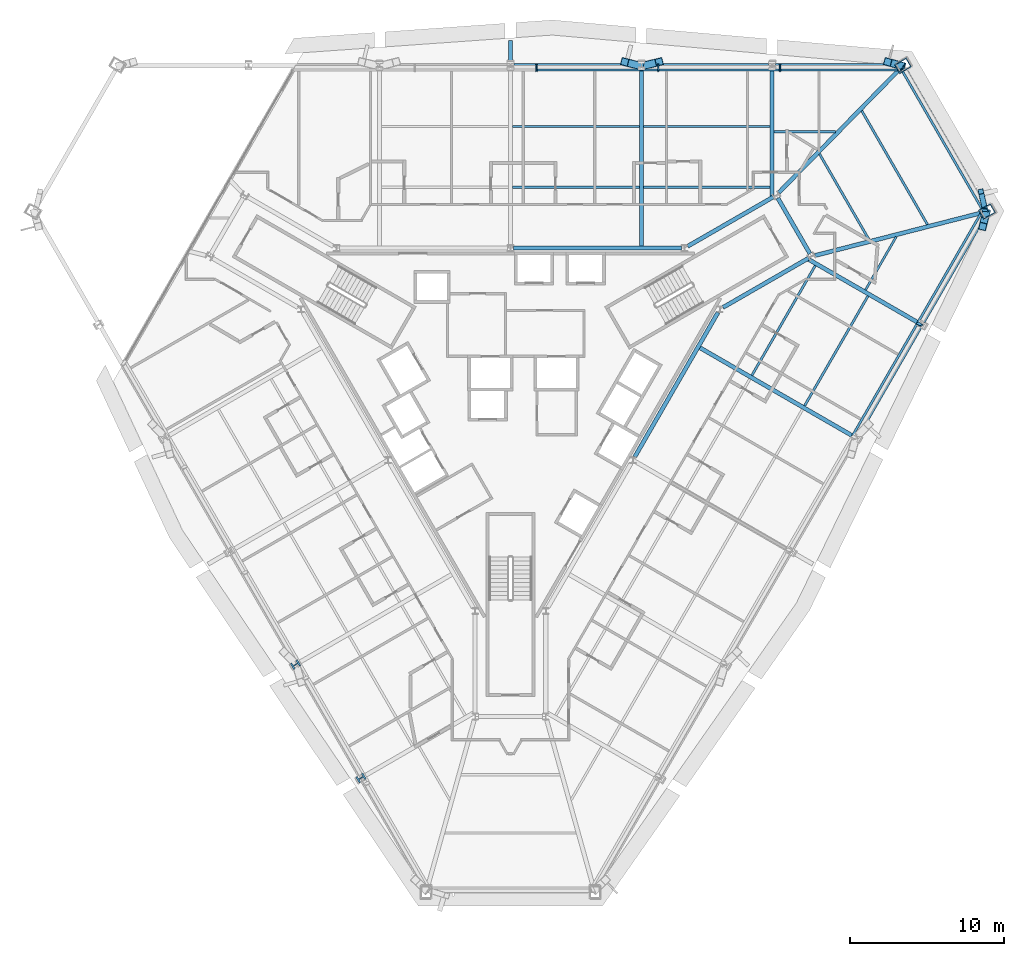
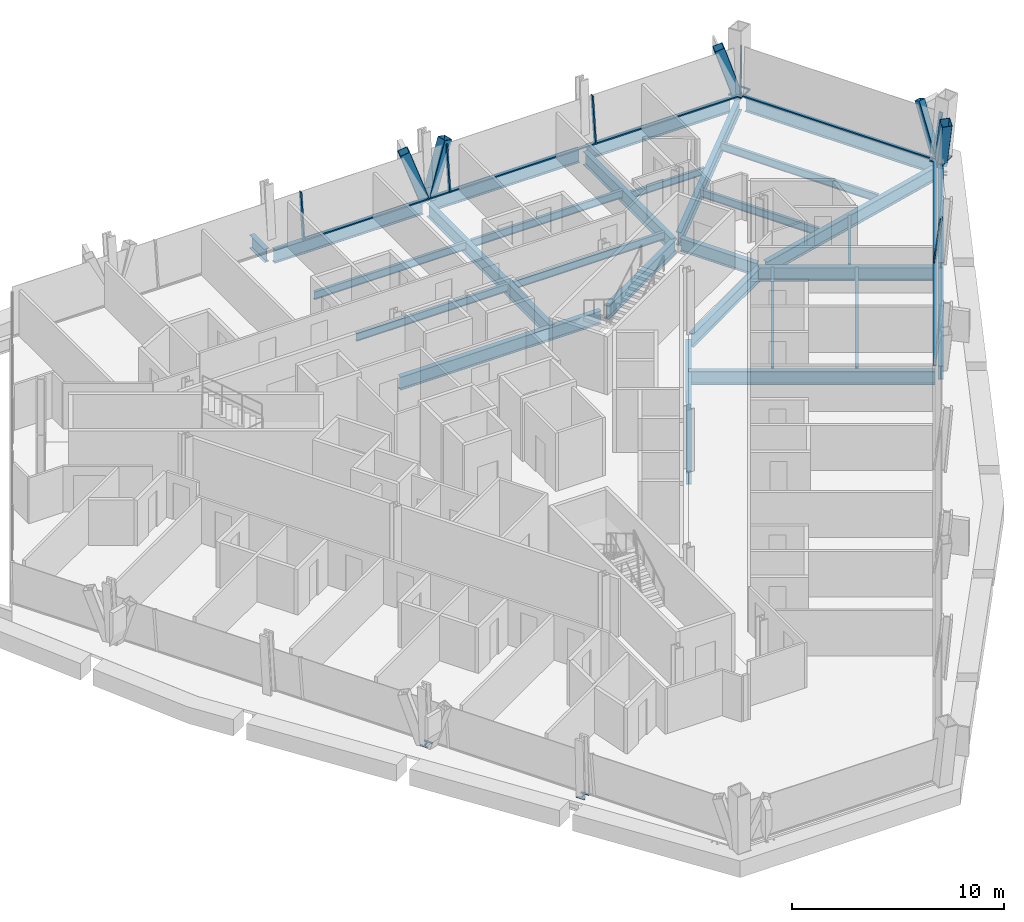
# One storey, part 8 of 17: 28 beams, 21 members, 3 elements without a shape of their own.
"""IFC4 building model written with IfcOpenShell, lengths in metres."""

from ifc_helpers import new_model, si_unit, direction, frame, origin, origin_2d, place, context, subcontext, project, spatial, rectangle, hollow_rectangle, i_section, extrude, material, material_profile, profile_set, type_object, element, aggregate, save


model = new_model("IFC4")

# Units and contexts
model_context = context("Model", 3, precision=1e-05, world=origin(), true_north=direction((0.0, 1.0)))
body_context = subcontext(model_context, "Body", "Model", "MODEL_VIEW")
ifc_project = project(units=[si_unit("LENGTHUNIT", "METRE"), si_unit("AREAUNIT", "SQUARE_METRE"), si_unit("VOLUMEUNIT", "CUBIC_METRE"), si_unit("PLANEANGLEUNIT", "RADIAN"), si_unit("MASSUNIT", "GRAM", prefix="KILO")], contexts=[model_context])

# Site, building, storey
site_placement = place(None, origin())
site = spatial("IfcSite", under=ifc_project, at=site_placement, CompositionType="ELEMENT")
building_placement = place(site_placement, origin())
building = spatial("IfcBuilding", under=site, at=building_placement, Name="Verrane Prism Tower", CompositionType="ELEMENT")
storey_placement = place(building_placement, frame((0.0, 0.0, 62.0)))
storey = spatial("IfcBuildingStorey", under=building, at=storey_placement, Name="L13", CompositionType="ELEMENT", Elevation=62.0)

# Member
ifc_material_1 = material(Name="Steel A500 Grade C", Category="steel")
ifc_material_profile_1 = material_profile(ifc_material_1, hollow_rectangle(XDim=0.355712890625, YDim=0.355712890625, WallThickness=0.0126953125, InnerFilletRadius=0.00634765625, OuterFilletRadius=0.01904296875, at=origin_2d()), Name="HSS14x14x1/2")
ifc_profile_set_1 = profile_set([ifc_material_profile_1], Name="Steel A500 Grade C")
member_type_1 = type_object("IfcMemberType", Name="Chamfer brace HSS14x14x1/2", PredefinedType="BRACE", material=ifc_profile_set_1)
member_1_placement = place(storey_placement, frame((30.859619140625, 11.86767578125, 0.2587890625), z_axis=(-0.087530329187, 0.375181493385, 0.922809454055), x_axis=(-0.973848112977, -0.22720002828, 0.0)))
element("IfcMember", 1, at=member_1_placement, inside=storey, type_object=member_type_1, Name="Chamfer brace NE0 L13", PredefinedType="BRACE", context=body_context, shape_type="SweptSolid", body=[
    extrude(hollow_rectangle(XDim=0.355712890625, YDim=0.355712890625, WallThickness=0.0126953125, InnerFilletRadius=0.00634765625, OuterFilletRadius=0.01904296875, at=origin_2d()), origin(), (0.0, 0.0, 1.0), 2.708251953125),
])

# Beams
ifc_material_2 = material(Name="Steel A992", Category="steel")
ifc_material_profile_2 = material_profile(ifc_material_2, i_section(OverallWidth=0.2666015625, OverallDepth=0.76708984375, WebThickness=0.014892578125, FlangeThickness=0.023681640625, FilletRadius=0.0166015625, at=origin_2d()), Name="W30x124")
ifc_profile_set_2 = profile_set([ifc_material_profile_2], Name="Steel A992")
beam_type_1 = type_object("IfcBeamType", Name="Chamfer spandrel beam W30x124", PredefinedType="SPANDREL", material=ifc_profile_set_2)
beam_1_placement = place(storey_placement, frame((30.84521484375, 11.893310546875, -0.54345703125), z_axis=(-0.499796720239, 0.866142735603, 0.0), x_axis=(-0.866142735603, -0.499796720239, 0.0)))
element("IfcBeam", 2, at=beam_1_placement, inside=storey, type_object=beam_type_1, Name="Chamfer spandrel beam L13", PredefinedType="SPANDREL", context=body_context, shape_type="SweptSolid", body=[
    extrude(i_section(OverallWidth=0.2666015625, OverallDepth=0.76708984375, WebThickness=0.014892578125, FlangeThickness=0.023681640625, FilletRadius=0.0166015625, at=origin_2d()), origin(), (0.0, 0.0, 1.0), 10.244873046875),
])
ifc_material_3 = material(Name="Steel A992", Category="steel")
ifc_material_profile_3 = material_profile(ifc_material_3, i_section(OverallWidth=0.2666015625, OverallDepth=0.7568359375, WebThickness=0.013916015625, FlangeThickness=0.019287109375, FilletRadius=0.0166015625, at=origin_2d()), Name="W30x108")
ifc_profile_set_3 = profile_set([ifc_material_profile_3], Name="Steel A992")
beam_type_2 = type_object("IfcBeamType", Name="Core ring girder W30x108", PredefinedType="BEAM", material=ifc_profile_set_3)
beam_2_placement = place(storey_placement, frame((13.833251953125, 5.337158203125, -0.62841796875), z_axis=(0.86646365882, 0.499240150574, 0.0), x_axis=(-0.499240150574, 0.86646365882, 0.0)))
element("IfcBeam", 3, at=beam_2_placement, inside=storey, type_object=beam_type_2, Name="Core ring girder L13", PredefinedType="BEAM", context=body_context, shape_type="SweptSolid", body=[
    extrude(i_section(OverallWidth=0.2666015625, OverallDepth=0.7568359375, WebThickness=0.013916015625, FlangeThickness=0.019287109375, FilletRadius=0.0166015625, at=origin_2d()), origin(), (0.0, 0.0, 1.0), 6.42822265625),
])
beam_3_placement = place(storey_placement, frame((19.4951171875, 8.84130859375, -0.62841796875), z_axis=(-0.500349643494, 0.865823442888, 0.0), x_axis=(-0.865823442888, -0.500349643494, 0.0)))
element("IfcBeam", 4, at=beam_3_placement, inside=storey, type_object=beam_type_2, Name="Core ring girder L13", PredefinedType="BEAM", context=body_context, shape_type="SweptSolid", body=[
    extrude(i_section(OverallWidth=0.2666015625, OverallDepth=0.7568359375, WebThickness=0.013916015625, FlangeThickness=0.019287109375, FilletRadius=0.0166015625, at=origin_2d()), origin(), (0.0, 0.0, 1.0), 4.177734375),
])
beam_4_placement = place(storey_placement, frame((17.10302734375, 12.526611328125, -0.62841796875), z_axis=(-0.866447229751, -0.499268663203, 0.0), x_axis=(0.499268663203, -0.866447229751, 0.0)))
element("IfcBeam", 5, at=beam_4_placement, inside=storey, type_object=beam_type_2, Name="Core ring girder L13", PredefinedType="BEAM", context=body_context, shape_type="SweptSolid", body=[
    extrude(i_section(OverallWidth=0.2666015625, OverallDepth=0.7568359375, WebThickness=0.013916015625, FlangeThickness=0.019287109375, FilletRadius=0.0166015625, at=origin_2d()), origin(), (0.0, 0.0, 1.0), 6.428466796875),
])
beam_5_placement = place(storey_placement, frame((11.126708984375, 9.199951171875, -0.62841796875), z_axis=(-1.0, 0.0, 0.0), x_axis=(0.0, -1.0, 0.0)))
element("IfcBeam", 6, at=beam_5_placement, inside=storey, type_object=beam_type_2, Name="Core ring girder L13", PredefinedType="BEAM", context=body_context, shape_type="SweptSolid", body=[
    extrude(i_section(OverallWidth=0.2666015625, OverallDepth=0.7568359375, WebThickness=0.013916015625, FlangeThickness=0.019287109375, FilletRadius=0.0166015625, at=origin_2d()), origin(), (0.0, 0.0, 1.0), 10.923583984375),
])
beam_6_placement = place(storey_placement, frame((8.090087890625, -4.3916015625, -0.62841796875), z_axis=(0.499371892062, 0.866387738498, 0.0), x_axis=(-0.866387738498, 0.499371892062, 0.0)))
element("IfcBeam", 7, at=beam_6_placement, inside=storey, type_object=beam_type_2, Name="Core ring girder L13", PredefinedType="BEAM", context=body_context, shape_type="SweptSolid", body=[
    extrude(i_section(OverallWidth=0.2666015625, OverallDepth=0.7568359375, WebThickness=0.013916015625, FlangeThickness=0.019287109375, FilletRadius=0.0166015625, at=origin_2d()), origin(), (0.0, 0.0, 1.0), 10.853515625),
])
ifc_material_4 = material(Name="Steel A992", Category="steel")
ifc_material_profile_4 = material_profile(ifc_material_4, i_section(OverallWidth=0.2666015625, OverallDepth=0.76708984375, WebThickness=0.014892578125, FlangeThickness=0.023681640625, FilletRadius=0.0166015625, at=origin_2d()), Name="W30x124")
ifc_profile_set_4 = profile_set([ifc_material_profile_4], Name="Steel A992")
beam_type_3 = type_object("IfcBeamType", Name="Corner girder W30x124", PredefinedType="BEAM", material=ifc_profile_set_4)
beam_7_placement = place(storey_placement, frame((30.5673828125, 11.473876953125, -0.603515625), z_axis=(-0.968629214838, -0.248510450813, 0.0), x_axis=(0.248510450813, -0.968629214838, 0.0)))
element("IfcBeam", 8, at=beam_7_placement, inside=storey, type_object=beam_type_3, Name="Corner girder L13", PredefinedType="BEAM", context=body_context, shape_type="SweptSolid", body=[
    extrude(i_section(OverallWidth=0.2666015625, OverallDepth=0.76708984375, WebThickness=0.014892578125, FlangeThickness=0.023681640625, FilletRadius=0.0166015625, at=origin_2d()), origin(), (0.0, 0.0, 1.0), 11.086669921875),
])
beam_8_placement = place(storey_placement, frame((25.548828125, 21.06884765625, -0.603515625), z_axis=(-0.699429302474, -0.714701791547, 0.0), x_axis=(0.714701791547, -0.699429302474, 0.0)))
element("IfcBeam", 9, at=beam_8_placement, inside=storey, type_object=beam_type_3, Name="Corner girder L13", PredefinedType="BEAM", context=body_context, shape_type="SweptSolid", body=[
    extrude(i_section(OverallWidth=0.2666015625, OverallDepth=0.76708984375, WebThickness=0.014892578125, FlangeThickness=0.023681640625, FilletRadius=0.0166015625, at=origin_2d()), origin(), (0.0, 0.0, 1.0), 11.5576171875),
])

# Members
ifc_material_5 = material(Name="Steel A1085 Grade A", Category="steel")
ifc_material_profile_5 = material_profile(ifc_material_5, hollow_rectangle(XDim=0.508056640625, YDim=0.508056640625, WallThickness=0.025390625, InnerFilletRadius=0.0126953125, OuterFilletRadius=0.0380859375, at=origin_2d()), Name="HSS20x20x1")
ifc_profile_set_5 = profile_set([ifc_material_profile_5], Name="Steel A1085 Grade A")
member_type_2 = type_object("IfcMemberType", Name="Facade brace HSS20x20x1", PredefinedType="BRACE", material=ifc_profile_set_5)
member_2_placement = place(storey_placement, frame((25.447509765625, 21.070068359375, -0.197509765625), z_axis=(-0.28691956296, 0.080224219907, 0.954589565694), x_axis=(-0.269277388617, -0.963062660464, 0.0)))
element("IfcMember", 10, at=member_2_placement, inside=storey, type_object=member_type_2, Name="Facade brace N0 L13", PredefinedType="BRACE", context=body_context, shape_type="SweptSolid", body=[
    extrude(hollow_rectangle(XDim=0.508056640625, YDim=0.508056640625, WallThickness=0.025390625, InnerFilletRadius=0.0126953125, OuterFilletRadius=0.0380859375, at=origin_2d()), origin(), (0.0, 0.0, 1.0), 3.10400390625),
])
member_3_placement = place(storey_placement, frame((8.639892578125, 21.070068359375, -0.197509765625), z_axis=(0.330631716737, 0.079035470136, 0.940444608867), x_axis=(-0.232493532047, 0.972597942398, 0.0)))
element("IfcMember", 11, at=member_3_placement, inside=storey, type_object=member_type_2, Name="Facade brace N1 L13", PredefinedType="BRACE", context=body_context, shape_type="SweptSolid", body=[
    extrude(hollow_rectangle(XDim=0.508056640625, YDim=0.508056640625, WallThickness=0.025390625, InnerFilletRadius=0.0126953125, OuterFilletRadius=0.0380859375, at=origin_2d()), origin(), (0.0, 0.0, 1.0), 3.15087890625),
])
member_4_placement = place(storey_placement, frame((8.408203125, 21.070068359375, -0.197509765625), z_axis=(-0.310890224277, 0.079595388746, 0.947107091378), x_axis=(-0.248024317943, -0.968753806552, 0.0)))
element("IfcMember", 12, at=member_4_placement, inside=storey, type_object=member_type_2, Name="Facade brace N2 L13", PredefinedType="BRACE", context=body_context, shape_type="SweptSolid", body=[
    extrude(hollow_rectangle(XDim=0.508056640625, YDim=0.508056640625, WallThickness=0.025390625, InnerFilletRadius=0.0126953125, OuterFilletRadius=0.0380859375, at=origin_2d()), origin(), (0.0, 0.0, 1.0), 3.128662109375),
])
member_5_placement = place(storey_placement, frame((30.968994140625, 11.501708984375, -0.197509765625), z_axis=(-0.072850818083, -0.288020350974, 0.954849221463), x_axis=(0.96946898724, -0.245213953069, 0.0)))
element("IfcMember", 13, at=member_5_placement, inside=storey, type_object=member_type_2, Name="Facade brace SE5 L13", PredefinedType="BRACE", context=body_context, shape_type="SweptSolid", body=[
    extrude(hollow_rectangle(XDim=0.508056640625, YDim=0.508056640625, WallThickness=0.025390625, InnerFilletRadius=0.0126953125, OuterFilletRadius=0.0380859375, at=origin_2d()), origin(), (0.0, 0.0, 1.0), 3.103271484375),
])

# Beams
ifc_material_6 = material(Name="Steel A992", Category="steel")
ifc_material_profile_6 = material_profile(ifc_material_6, i_section(OverallWidth=0.140380859375, OverallDepth=0.40380859375, WebThickness=0.007080078125, FlangeThickness=0.01123046875, FilletRadius=0.01025390625, at=origin_2d()), Name="W16x31")
ifc_profile_set_6 = profile_set([ifc_material_profile_6], Name="Steel A992")
beam_type_4 = type_object("IfcBeamType", Name="Floor beam W16x31", PredefinedType="BEAM", material=ifc_profile_set_6)
beam_9_placement = place(storey_placement, frame((17.16357421875, 16.77490234375, -0.36181640625), z_axis=(1.0, 0.0, 0.0), x_axis=(0.0, 1.0, 0.0)))
element("IfcBeam", 14, at=beam_9_placement, inside=storey, type_object=beam_type_4, Name="Floor beam L13", PredefinedType="BEAM", context=body_context, shape_type="SweptSolid", body=[
    extrude(i_section(OverallWidth=0.140380859375, OverallDepth=0.40380859375, WebThickness=0.007080078125, FlangeThickness=0.01123046875, FilletRadius=0.01025390625, at=origin_2d()), origin(), (0.0, 0.0, 1.0), 3.996337890625),
])
beam_10_placement = place(storey_placement, frame((23.113525390625, 6.4794921875, -0.36181640625), z_axis=(0.500001357645, 0.866024619946, 0.0), x_axis=(-0.866024619946, 0.500001357645, 0.0)))
element("IfcBeam", 15, at=beam_10_placement, inside=storey, type_object=beam_type_4, Name="Floor beam L13", PredefinedType="BEAM", context=body_context, shape_type="SweptSolid", body=[
    extrude(i_section(OverallWidth=0.140380859375, OverallDepth=0.40380859375, WebThickness=0.007080078125, FlangeThickness=0.01123046875, FilletRadius=0.01025390625, at=origin_2d()), origin(), (0.0, 0.0, 1.0), 3.99072265625),
])
ifc_material_7 = material(Name="Steel A992", Category="steel")
ifc_material_profile_7 = material_profile(ifc_material_7, i_section(OverallWidth=0.15234375, OverallDepth=0.449462890625, WebThickness=0.007568359375, FlangeThickness=0.0107421875, FilletRadius=0.01025390625, at=origin_2d()), Name="W18x35")
ifc_profile_set_7 = profile_set([ifc_material_profile_7], Name="Steel A992")
beam_type_5 = type_object("IfcBeamType", Name="Floor beam W18x35", PredefinedType="BEAM", material=ifc_profile_set_7)
for number, where, z_axis, x_axis, name in (
    (16, (8.653564453125, 13.15673828125, -0.384765625), (1.0, 0.0, 0.0), (0.0, 1.0, 0.0), "Floor beam L13"),
    (17, (8.653564453125, 17.11328125, -0.384765625), (1.0, 0.0, 0.0), (0.0, 1.0, 0.0), "Floor beam L13"),
):
    element("IfcBeam", number, at=place(storey_placement, frame(where, z_axis=z_axis, x_axis=x_axis)), inside=storey, type_object=beam_type_5, Name=name, PredefinedType="BEAM", context=body_context, shape_type="SweptSolid", body=[
        extrude(i_section(OverallWidth=0.15234375, OverallDepth=0.449462890625, WebThickness=0.007568359375, FlangeThickness=0.0107421875, FilletRadius=0.01025390625, at=origin_2d()), origin(), (0.0, 0.0, 1.0), 8.242919921875),
    ])
for number, where, z_axis, x_axis, name in (
    (18, (0.133544921875, 13.15673828125, -0.384765625), (1.0, 0.0, 0.0), (0.0, 1.0, 0.0), "Floor beam L13"),
    (19, (0.133544921875, 17.11328125, -0.384765625), (1.0, 0.0, 0.0), (0.0, 1.0, 0.0), "Floor beam L13"),
):
    element("IfcBeam", number, at=place(storey_placement, frame(where, z_axis=z_axis, x_axis=x_axis)), inside=storey, type_object=beam_type_5, Name=name, PredefinedType="BEAM", context=body_context, shape_type="SweptSolid", body=[
        extrude(i_section(OverallWidth=0.15234375, OverallDepth=0.449462890625, WebThickness=0.007568359375, FlangeThickness=0.0107421875, FilletRadius=0.01025390625, at=origin_2d()), origin(), (0.0, 0.0, 1.0), 8.2529296875),
    ])
beam_11_placement = place(storey_placement, frame((19.146728515625, -1.064453125, -0.384765625), z_axis=(0.499987164874, 0.866032814021, 0.0), x_axis=(-0.866032814021, 0.499987164874, 0.0)))
element("IfcBeam", 20, at=beam_11_placement, inside=storey, type_object=beam_type_5, Name="Floor beam L13", PredefinedType="BEAM", context=body_context, shape_type="SweptSolid", body=[
    extrude(i_section(OverallWidth=0.15234375, OverallDepth=0.449462890625, WebThickness=0.007568359375, FlangeThickness=0.0107421875, FilletRadius=0.01025390625, at=origin_2d()), origin(), (0.0, 0.0, 1.0), 8.249755859375),
])
beam_12_placement = place(storey_placement, frame((15.716796875, 0.91552734375, -0.384765625), z_axis=(0.499996545922, 0.866027397988, 0.0), x_axis=(-0.866027397988, 0.499996545922, 0.0)))
element("IfcBeam", 21, at=beam_12_placement, inside=storey, type_object=beam_type_5, Name="Floor beam L13", PredefinedType="BEAM", context=body_context, shape_type="SweptSolid", body=[
    extrude(i_section(OverallWidth=0.15234375, OverallDepth=0.449462890625, WebThickness=0.007568359375, FlangeThickness=0.0107421875, FilletRadius=0.01025390625, at=origin_2d()), origin(), (0.0, 0.0, 1.0), 8.25),
])
beam_13_placement = place(storey_placement, frame((27.145263671875, 10.733642578125, -0.384765625), z_axis=(-0.499989342298, 0.866031556924, 0.0), x_axis=(-0.866031556924, -0.499989342298, 0.0)))
element("IfcBeam", 22, at=beam_13_placement, inside=storey, type_object=beam_type_5, Name="Floor beam L13", PredefinedType="BEAM", context=body_context, shape_type="SweptSolid", body=[
    extrude(i_section(OverallWidth=0.15234375, OverallDepth=0.449462890625, WebThickness=0.007568359375, FlangeThickness=0.0107421875, FilletRadius=0.01025390625, at=origin_2d()), origin(), (0.0, 0.0, 1.0), 8.552001953125),
])
beam_14_placement = place(storey_placement, frame((23.337158203125, 9.756591796875, -0.384765625), z_axis=(-0.49999063097, 0.866030812929, 0.0), x_axis=(-0.866030812929, -0.49999063097, 0.0)))
element("IfcBeam", 23, at=beam_14_placement, inside=storey, type_object=beam_type_5, Name="Floor beam L13", PredefinedType="BEAM", context=body_context, shape_type="SweptSolid", body=[
    extrude(i_section(OverallWidth=0.15234375, OverallDepth=0.449462890625, WebThickness=0.007568359375, FlangeThickness=0.0107421875, FilletRadius=0.01025390625, at=origin_2d()), origin(), (0.0, 0.0, 1.0), 6.435546875),
])

# Members
ifc_material_8 = material(Name="Steel A572 Grade 50", Category="steel")
ifc_material_profile_8 = material_profile(ifc_material_8, hollow_rectangle(XDim=0.699951171875, YDim=0.89990234375, WallThickness=0.06494140625, at=origin_2d()), Name="BOX 900x700x65")
ifc_profile_set_8 = profile_set([ifc_material_profile_8], Name="Steel A572 Grade 50")
member_type_3 = type_object("IfcMemberType", Name="Kink node BOX 900x700x65", PredefinedType="COLLAR", material=ifc_profile_set_8)
for number, where, z_axis, x_axis, name in (
    (24, (31.02197265625, 11.590087890625, -0.0400390625), (0.0, 0.0, 1.0), (0.5, -0.866025403784, 0.0), "Kink node MC3 L13"),
    (25, (25.551025390625, 21.071533203125, -0.0400390625), (0.0, 0.0, 1.0), (0.5, -0.866025403784, 0.0), "Kink node MC3 L13"),
):
    element("IfcMember", number, at=place(storey_placement, frame(where, z_axis=z_axis, x_axis=x_axis)), inside=storey, type_object=member_type_3, Name=name, PredefinedType="COLLAR", context=body_context, shape_type="SweptSolid", body=[
        extrude(hollow_rectangle(XDim=0.699951171875, YDim=0.89990234375, WallThickness=0.06494140625, at=origin_2d()), origin(), (0.0, 0.0, 1.0), 0.080078125),
    ])
ifc_material_9 = material(Name="Steel A992", Category="steel")
ifc_material_profile_9 = material_profile(ifc_material_9, i_section(OverallWidth=0.44189453125, OverallDepth=0.53076171875, WebThickness=0.06591796875, FlangeThickness=0.105712890625, FilletRadius=0.01513671875, at=origin_2d()), Name="W14x605")
ifc_profile_set_9 = profile_set([ifc_material_profile_9], Name="Steel A992")
member_type_4 = type_object("IfcMemberType", Name="Kink node W14x605", PredefinedType="COLLAR", material=ifc_profile_set_9)
for number, where, z_axis, x_axis, name in (
    (26, (-13.99072265625, -17.91064453125, -0.02490234375), (0.0, 0.0, 1.0), (-0.5, 0.866025403784, 0.0), "Kink node PC2 L13"),
    (27, (-9.730712890625, -25.290771484375, -0.02490234375), (0.0, 0.0, 1.0), (-0.5, 0.866025403784, 0.0), "Kink node PC2 L13"),
):
    element("IfcMember", number, at=place(storey_placement, frame(where, z_axis=z_axis, x_axis=x_axis)), inside=storey, type_object=member_type_4, Name=name, PredefinedType="COLLAR", context=body_context, shape_type="SweptSolid", body=[
        extrude(i_section(OverallWidth=0.44189453125, OverallDepth=0.53076171875, WebThickness=0.06591796875, FlangeThickness=0.105712890625, FilletRadius=0.01513671875, at=origin_2d()), origin(), (0.0, 0.0, 1.0), 0.0498046875),
    ])

# Curtain wall, member
ifc_material_10 = material(Name="Aluminium framed insulated glazing", Category="aluminium")
curtain_wall_type = type_object("IfcCurtainWallType", Name="Curtain wall CW-A 8400 module", PredefinedType="NOTDEFINED", material=ifc_material_10)
curtain_wall_1_placement = place(storey_placement, origin())
curtain_wall_1 = element("IfcCurtainWall", 28, at=curtain_wall_1_placement, inside=storey, type_object=curtain_wall_type, Name="Glazed curtain wall north-east corner L13", PredefinedType="NOTDEFINED")
ifc_material_11 = material(Name="Aluminium alloy 6063-T6", Category="aluminium")
ifc_material_profile_10 = material_profile(ifc_material_11, rectangle(XDim=0.199951171875, YDim=0.070068359375, at=origin_2d()), Name="Mullion 70x200 aluminium")
ifc_profile_set_10 = profile_set([ifc_material_profile_10], Name="Aluminium alloy 6063-T6")
member_type_5 = type_object("IfcMemberType", Name="Mullion 70x200 aluminium", PredefinedType="MULLION", material=ifc_profile_set_10)
member_6_placement = place(storey_placement, frame((30.7255859375, 11.697021484375, 0.0), z_axis=(0.137978086473, -0.011382498079, 0.990369873527), x_axis=(0.422306386926, -0.903806096703, -0.069223226761)))
member_6 = element("IfcMember", 29, at=member_6_placement, type_object=member_type_5, Name="CW12.1 mullion 1", PredefinedType="MULLION", context=body_context, shape_type="SweptSolid", body=[
    extrude(rectangle(XDim=0.199951171875, YDim=0.070068359375, at=origin_2d()), origin(), (0.0, 0.0, 1.0), 2.63818359375),
])

# Curtain wall, members
curtain_wall_2_placement = place(storey_placement, origin())
curtain_wall_2 = element("IfcCurtainWall", 30, at=curtain_wall_2_placement, inside=storey, type_object=curtain_wall_type, Name="Glazed curtain wall north face L13", PredefinedType="NOTDEFINED")
member_7_placement = place(storey_placement, frame((25.440185546875, 20.791015625, 0.0), z_axis=(0.079029178618, 0.113731686793, 0.990363313308), x_axis=(0.565134685884, 0.813291017507, -0.138493709798)))
member_7 = element("IfcMember", 31, at=member_7_placement, type_object=member_type_5, Name="CW12.2 mullion 1", PredefinedType="MULLION", context=body_context, shape_type="SweptSolid", body=[
    extrude(rectangle(XDim=0.199951171875, YDim=0.070068359375, at=origin_2d()), origin(), (0.0, 0.0, 1.0), 2.63818359375),
])
member_8_placement = place(storey_placement, frame((17.547607421875, 20.791015625, 0.0), z_axis=(0.0, 0.114088521093, 0.993470588067), x_axis=(0.0, 0.993470588067, -0.114088521093)))
member_8 = element("IfcMember", 32, at=member_8_placement, type_object=member_type_5, Name="CW12.2 mullion 2", PredefinedType="MULLION", context=body_context, shape_type="SweptSolid", body=[
    extrude(rectangle(XDim=0.199951171875, YDim=0.070068359375, at=origin_2d()), origin(), (0.0, 0.0, 1.0), 2.6298828125),
])
member_9_placement = place(storey_placement, frame((9.6201171875, 20.791015625, 0.0), z_axis=(0.0, 0.114088521093, 0.993470588067), x_axis=(0.0, 0.993470588067, -0.114088521093)))
member_9 = element("IfcMember", 33, at=member_9_placement, type_object=member_type_5, Name="CW12.2 mullion 3", PredefinedType="MULLION", context=body_context, shape_type="SweptSolid", body=[
    extrude(rectangle(XDim=0.199951171875, YDim=0.070068359375, at=origin_2d()), origin(), (0.0, 0.0, 1.0), 2.6298828125),
])
member_10_placement = place(storey_placement, frame((1.692626953125, 20.791015625, 0.0), z_axis=(0.0, 0.114088521093, 0.993470588067), x_axis=(0.0, 0.993470588067, -0.114088521093)))
member_10 = element("IfcMember", 34, at=member_10_placement, type_object=member_type_5, Name="CW12.2 mullion 4", PredefinedType="MULLION", context=body_context, shape_type="SweptSolid", body=[
    extrude(rectangle(XDim=0.199951171875, YDim=0.070068359375, at=origin_2d()), origin(), (0.0, 0.0, 1.0), 2.6298828125),
])

# Curtain wall, member
curtain_wall_3_placement = place(storey_placement, origin())
curtain_wall_3 = element("IfcCurtainWall", 35, at=curtain_wall_3_placement, inside=storey, type_object=curtain_wall_type, Name="Glazed curtain wall south-east face L13", PredefinedType="NOTDEFINED")
member_11_placement = place(storey_placement, frame((26.497314453125, 4.312744140625, 0.0), z_axis=(0.098771561601, -0.057090705249, 0.99347110174), x_axis=(-0.863445118187, -0.501207284397, 0.057041966534)))
member_11 = element("IfcMember", 36, at=member_11_placement, type_object=member_type_5, Name="CW12.6 mullion 6", PredefinedType="MULLION", context=body_context, shape_type="SweptSolid", body=[
    extrude(rectangle(XDim=0.199951171875, YDim=0.070068359375, at=origin_2d()), origin(), (0.0, 0.0, 1.0), 2.6298828125),
])

# Beams
ifc_material_12 = material(Name="Steel A992", Category="steel")
ifc_material_profile_11 = material_profile(ifc_material_12, i_section(OverallWidth=0.2666015625, OverallDepth=0.76708984375, WebThickness=0.014892578125, FlangeThickness=0.023681640625, FilletRadius=0.0166015625, at=origin_2d()), Name="W30x124")
ifc_profile_set_11 = profile_set([ifc_material_profile_11], Name="Steel A992")
beam_type_6 = type_object("IfcBeamType", Name="Radial girder W30x124", PredefinedType="BEAM", material=ifc_profile_set_11)
beam_15_placement = place(storey_placement, frame((17.030029296875, 20.8046875, -0.603515625), z_axis=(0.0, -1.0, 0.0), x_axis=(1.0, 0.0, 0.0)))
element("IfcBeam", 37, at=beam_15_placement, inside=storey, type_object=beam_type_6, Name="Radial girder L13", PredefinedType="BEAM", context=body_context, shape_type="SweptSolid", body=[
    extrude(i_section(OverallWidth=0.2666015625, OverallDepth=0.76708984375, WebThickness=0.014892578125, FlangeThickness=0.023681640625, FilletRadius=0.0166015625, at=origin_2d()), origin(), (0.0, 0.0, 1.0), 8.3203125),
])
beam_16_placement = place(storey_placement, frame((8.52001953125, 20.8046875, -0.603515625), z_axis=(0.0, -1.0, 0.0), x_axis=(1.0, 0.0, 0.0)))
element("IfcBeam", 38, at=beam_16_placement, inside=storey, type_object=beam_type_6, Name="Radial girder L13", PredefinedType="BEAM", context=body_context, shape_type="SweptSolid", body=[
    extrude(i_section(OverallWidth=0.2666015625, OverallDepth=0.76708984375, WebThickness=0.014892578125, FlangeThickness=0.023681640625, FilletRadius=0.0166015625, at=origin_2d()), origin(), (0.0, 0.0, 1.0), 11.604736328125),
])
beam_17_placement = place(storey_placement, frame((22.280029296875, -3.02734375, -0.603515625), z_axis=(-0.866023488761, 0.500003316903, 0.0), x_axis=(-0.500003316903, -0.866023488761, 0.0)))
element("IfcBeam", 39, at=beam_17_placement, inside=storey, type_object=beam_type_6, Name="Radial girder L13", PredefinedType="BEAM", context=body_context, shape_type="SweptSolid", body=[
    extrude(i_section(OverallWidth=0.2666015625, OverallDepth=0.76708984375, WebThickness=0.014892578125, FlangeThickness=0.023681640625, FilletRadius=0.0166015625, at=origin_2d()), origin(), (0.0, 0.0, 1.0), 11.61279296875),
])
beam_18_placement = place(storey_placement, frame((26.530029296875, 4.352783203125, -0.603515625), z_axis=(-0.866021168401, 0.500007335828, 0.0), x_axis=(-0.500007335828, -0.866021168401, 0.0)))
element("IfcBeam", 40, at=beam_18_placement, inside=storey, type_object=beam_type_6, Name="Radial girder L13", PredefinedType="BEAM", context=body_context, shape_type="SweptSolid", body=[
    extrude(i_section(OverallWidth=0.2666015625, OverallDepth=0.76708984375, WebThickness=0.014892578125, FlangeThickness=0.023681640625, FilletRadius=0.0166015625, at=origin_2d()), origin(), (0.0, 0.0, 1.0), 8.30859375),
])
beam_19_placement = place(storey_placement, frame((0.0, 21.331298828125, -0.603515625), z_axis=(0.0, 1.0, 0.0), x_axis=(-1.0, 0.0, 0.0)))
element("IfcBeam", 41, at=beam_19_placement, inside=storey, type_object=beam_type_6, Name="Cantilever girder L13", PredefinedType="BEAM", context=body_context, shape_type="SweptSolid", body=[
    extrude(i_section(OverallWidth=0.2666015625, OverallDepth=0.76708984375, WebThickness=0.014892578125, FlangeThickness=0.023681640625, FilletRadius=0.0166015625, at=origin_2d()), origin(), (0.0, 0.0, 1.0), 1.392578125),
])
ifc_material_13 = material(Name="Steel A992", Category="steel")
ifc_material_profile_12 = material_profile(ifc_material_13, i_section(OverallWidth=0.2666015625, OverallDepth=0.7568359375, WebThickness=0.013916015625, FlangeThickness=0.019287109375, FilletRadius=0.0166015625, at=origin_2d()), Name="W30x108")
ifc_profile_set_12 = profile_set([ifc_material_profile_12], Name="Steel A992")
beam_type_7 = type_object("IfcBeamType", Name="Spandrel beam W30x108", PredefinedType="SPANDREL", material=ifc_profile_set_12)
beam_20_placement = place(storey_placement, frame((25.030517578125, 21.070068359375, -0.53857421875), z_axis=(-1.0, 0.0, 0.0), x_axis=(0.0, -1.0, 0.0)))
element("IfcBeam", 42, at=beam_20_placement, inside=storey, type_object=beam_type_7, Name="Spandrel beam L13", PredefinedType="SPANDREL", context=body_context, shape_type="SweptSolid", body=[
    extrude(i_section(OverallWidth=0.2666015625, OverallDepth=0.7568359375, WebThickness=0.013916015625, FlangeThickness=0.019287109375, FilletRadius=0.0166015625, at=origin_2d()), origin(), (0.0, 0.0, 1.0), 7.779541015625),
])
beam_21_placement = place(storey_placement, frame((16.80908203125, 21.070068359375, -0.53857421875), z_axis=(-1.0, 0.0, 0.0), x_axis=(0.0, -1.0, 0.0)))
element("IfcBeam", 43, at=beam_21_placement, inside=storey, type_object=beam_type_7, Name="Spandrel beam L13", PredefinedType="SPANDREL", context=body_context, shape_type="SweptSolid", body=[
    extrude(i_section(OverallWidth=0.2666015625, OverallDepth=0.7568359375, WebThickness=0.013916015625, FlangeThickness=0.019287109375, FilletRadius=0.0166015625, at=origin_2d()), origin(), (0.0, 0.0, 1.0), 8.068115234375),
])
beam_22_placement = place(storey_placement, frame((8.299072265625, 21.070068359375, -0.53857421875), z_axis=(-1.0, 0.0, 0.0), x_axis=(0.0, -1.0, 0.0)))
element("IfcBeam", 44, at=beam_22_placement, inside=storey, type_object=beam_type_7, Name="Spandrel beam L13", PredefinedType="SPANDREL", context=body_context, shape_type="SweptSolid", body=[
    extrude(i_section(OverallWidth=0.2666015625, OverallDepth=0.7568359375, WebThickness=0.013916015625, FlangeThickness=0.019287109375, FilletRadius=0.0166015625, at=origin_2d()), origin(), (0.0, 0.0, 1.0), 8.078125),
])
beam_23_placement = place(storey_placement, frame((22.620361328125, -2.968505859375, -0.53857421875), z_axis=(0.499027753089, 0.866586003607, 0.0), x_axis=(-0.866586003607, 0.499027753089, 0.0)))
element("IfcBeam", 45, at=beam_23_placement, inside=storey, type_object=beam_type_7, Name="Spandrel beam L13", PredefinedType="SPANDREL", context=body_context, shape_type="SweptSolid", body=[
    extrude(i_section(OverallWidth=0.2666015625, OverallDepth=0.7568359375, WebThickness=0.013916015625, FlangeThickness=0.019287109375, FilletRadius=0.0166015625, at=origin_2d()), origin(), (0.0, 0.0, 1.0), 8.07421875),
])
beam_24_placement = place(storey_placement, frame((26.87060546875, 4.411376953125, -0.53857421875), z_axis=(0.500425695968, 0.865779488562, 0.0), x_axis=(-0.865779488562, 0.500425695968, 0.0)))
element("IfcBeam", 46, at=beam_24_placement, inside=storey, type_object=beam_type_7, Name="Spandrel beam L13", PredefinedType="SPANDREL", context=body_context, shape_type="SweptSolid", body=[
    extrude(i_section(OverallWidth=0.2666015625, OverallDepth=0.7568359375, WebThickness=0.013916015625, FlangeThickness=0.019287109375, FilletRadius=0.0166015625, at=origin_2d()), origin(), (0.0, 0.0, 1.0), 7.772216796875),
])

# Member
ifc_material_14 = material(Name="Aluminium alloy 6063-T6", Category="aluminium")
ifc_material_profile_13 = material_profile(ifc_material_14, rectangle(XDim=0.14990234375, YDim=0.070068359375, at=origin_2d()), Name="Transom 70x150 aluminium")
ifc_profile_set_13 = profile_set([ifc_material_profile_13], Name="Aluminium alloy 6063-T6")
member_type_6 = type_object("IfcMemberType", Name="Transom 70x150 aluminium", PredefinedType="USERDEFINED", material=ifc_profile_set_13)
member_12_placement = place(storey_placement, frame((30.7080078125, 11.727294921875, 0.034912109375), z_axis=(-0.499997747565, 0.866026704225, 0.0), x_axis=(-0.866026704225, -0.499997747565, 0.0)))
member_12 = element("IfcMember", 47, at=member_12_placement, type_object=member_type_6, Name="CW12.1 transom 1", ObjectType="TRANSOM", PredefinedType="USERDEFINED", context=body_context, shape_type="SweptSolid", body=[
    extrude(rectangle(XDim=0.14990234375, YDim=0.070068359375, at=origin_2d()), origin(), (0.0, 0.0, 1.0), 10.4658203125),
])

aggregate(curtain_wall_1, [member_6, member_12])

member_13_placement = place(storey_placement, frame((25.4052734375, 20.791015625, 0.034912109375), z_axis=(-1.0, 0.0, 0.0), x_axis=(0.0, -1.0, 0.0)))
member_13 = element("IfcMember", 48, at=member_13_placement, type_object=member_type_6, Name="CW12.2 transom 1", ObjectType="TRANSOM", PredefinedType="USERDEFINED", context=body_context, shape_type="SweptSolid", body=[
    extrude(rectangle(XDim=0.14990234375, YDim=0.070068359375, at=origin_2d()), origin(), (0.0, 0.0, 1.0), 7.822509765625),
])

member_14_placement = place(storey_placement, frame((17.5126953125, 20.791015625, 0.034912109375), z_axis=(-1.0, 0.0, 0.0), x_axis=(0.0, -1.0, 0.0)))
member_14 = element("IfcMember", 49, at=member_14_placement, type_object=member_type_6, Name="CW12.2 transom 2", ObjectType="TRANSOM", PredefinedType="USERDEFINED", context=body_context, shape_type="SweptSolid", body=[
    extrude(rectangle(XDim=0.14990234375, YDim=0.070068359375, at=origin_2d()), origin(), (0.0, 0.0, 1.0), 7.857421875),
])

member_15_placement = place(storey_placement, frame((9.585205078125, 20.791015625, 0.034912109375), z_axis=(-1.0, 0.0, 0.0), x_axis=(0.0, -1.0, 0.0)))
member_15 = element("IfcMember", 50, at=member_15_placement, type_object=member_type_6, Name="CW12.2 transom 3", ObjectType="TRANSOM", PredefinedType="USERDEFINED", context=body_context, shape_type="SweptSolid", body=[
    extrude(rectangle(XDim=0.14990234375, YDim=0.070068359375, at=origin_2d()), origin(), (0.0, 0.0, 1.0), 7.857666015625),
])

aggregate(curtain_wall_2, [member_7, member_8, member_9, member_10, member_13, member_14, member_15])

member_16_placement = place(storey_placement, frame((22.268798828125, -3.01123046875, 0.034912109375), z_axis=(0.500005175824, 0.866022415501, 0.0), x_axis=(-0.866022415501, 0.500005175824, 0.0)))
member_16 = element("IfcMember", 51, at=member_16_placement, type_object=member_type_6, Name="CW12.6 transom 5", ObjectType="TRANSOM", PredefinedType="USERDEFINED", context=body_context, shape_type="SweptSolid", body=[
    extrude(rectangle(XDim=0.14990234375, YDim=0.070068359375, at=origin_2d()), origin(), (0.0, 0.0, 1.0), 8.421875),
])

member_17_placement = place(storey_placement, frame((26.5146484375, 4.343017578125, 0.034912109375), z_axis=(0.500014000576, 0.866017320397, 0.0), x_axis=(-0.866017320397, 0.500014000576, 0.0)))
member_17 = element("IfcMember", 52, at=member_17_placement, type_object=member_type_6, Name="CW12.6 transom 6", ObjectType="TRANSOM", PredefinedType="USERDEFINED", context=body_context, shape_type="SweptSolid", body=[
    extrude(rectangle(XDim=0.14990234375, YDim=0.070068359375, at=origin_2d()), origin(), (0.0, 0.0, 1.0), 8.456787109375),
])

aggregate(curtain_wall_3, [member_11, member_16, member_17])

save(model, "model.ifc")
